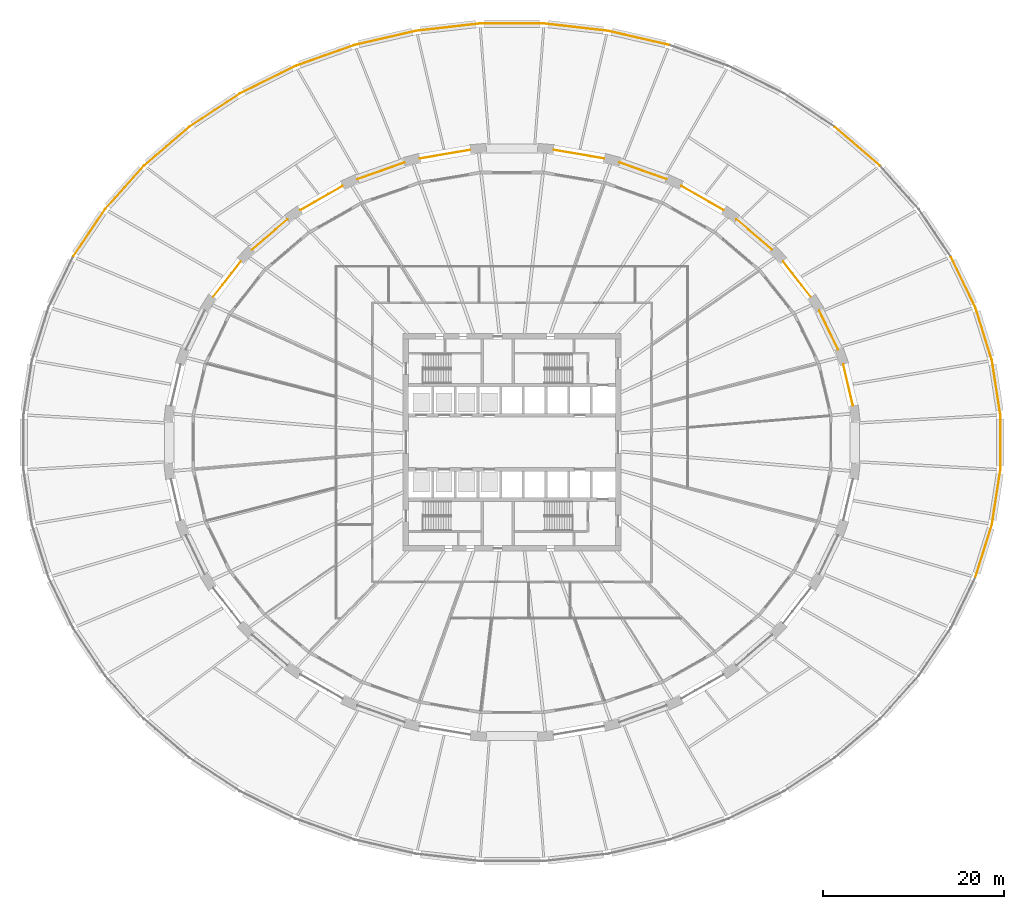
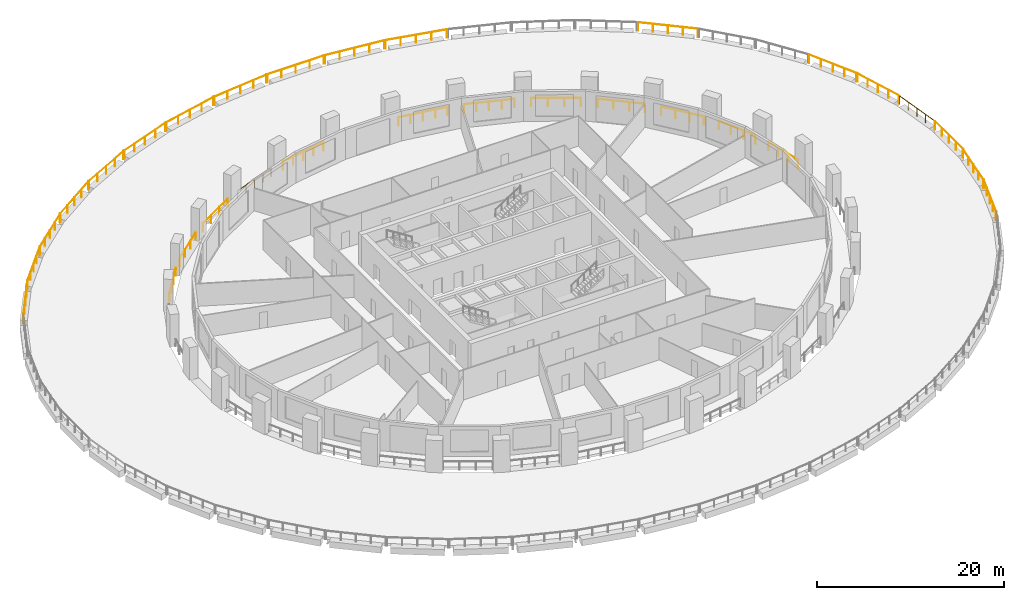
# One storey, part 14 of 16: 30 railings.
"""IFC4 building model written with IfcOpenShell, lengths in metres."""

import ifcopenshell
import ifcopenshell.guid

model = None  # the IFC model being written
_history = None  # IfcOwnerHistory: only IFC2X3 demands one
_inside = {}  # id of a spatial element -> (the spatial element, [elements in it])
_under = {}  # id of a project, library or spatial element -> (it, [spatial elements below it])
_declared = {}  # id of a project -> (the project, [libraries it declares])
_typed = {}  # id of a type object -> (the type object, [elements of that type])
_made_of = {}  # id of a material, layer set ... -> (it, [elements and type objects made of it])


def new_model(schema):
    """Start an empty IFC model of exactly this schema.

    Asked for "IFC4X3", IfcOpenShell would pick the latest addendum, in which some entities
    have other attributes; the version numbers below select the first issue.
    IFC2X3 requires an IfcOwnerHistory on every rooted entity: one is made here for all.
    """
    global model, _history
    if schema == "IFC4X3":
        model = ifcopenshell.file(schema_version=(4, 3, 0, 0))
    else:
        model = ifcopenshell.file(schema=schema)
    _inside.clear()
    _under.clear()
    _declared.clear()
    _typed.clear()
    _made_of.clear()
    _history = None
    if model.schema == "IFC2X3":
        org = make("IfcOrganization", Name="unknown")
        user = make(
            "IfcPersonAndOrganization",
            ThePerson=make("IfcPerson", FamilyName="unknown"),
            TheOrganization=org,
        )
        app = make(
            "IfcApplication",
            ApplicationDeveloper=org,
            Version="unknown",
            ApplicationFullName="unknown",
            ApplicationIdentifier="unknown",
        )
        _history = make(
            "IfcOwnerHistory",
            OwningUser=user,
            OwningApplication=app,
            ChangeAction="ADDED",
            CreationDate=0,
        )
    return model


def make(cls, **values):
    """One entity of the class cls with the attributes given. An attribute that is None is left unset."""
    return model.create_entity(
        cls, **{name: value for name, value in values.items() if value is not None}
    )


def rooted(cls, **values):
    """An entity with a GlobalId (a new one), such as an element, a storey or a relation."""
    return make(cls, GlobalId=ifcopenshell.guid.new(), OwnerHistory=_history, **values)


def si_unit(unit_type, name, prefix=None):
    """IfcSIUnit, for example si_unit("LENGTHUNIT", "METRE", prefix="MILLI")."""
    return make("IfcSIUnit", UnitType=unit_type, Prefix=prefix, Name=name)


def assignment(units):
    """IfcUnitAssignment: the units of a project."""
    return None if units is None else make("IfcUnitAssignment", Units=units)


def point(xyz):
    """IfcCartesianPoint."""
    return None if xyz is None else make("IfcCartesianPoint", Coordinates=xyz)


def direction(xyz):
    """IfcDirection."""
    return None if xyz is None else make("IfcDirection", DirectionRatios=xyz)


def frame(location, z_axis=None, x_axis=None):
    """IfcAxis2Placement3D, a coordinate frame: its origin and axes. An axis left out is left unset."""
    return make(
        "IfcAxis2Placement3D",
        Location=point(location),
        Axis=direction(z_axis),
        RefDirection=direction(x_axis),
    )


def frame_2d(location, x_axis=None):
    """IfcAxis2Placement2D, a coordinate frame in the plane: its origin and x axis."""
    return make(
        "IfcAxis2Placement2D", Location=point(location), RefDirection=direction(x_axis)
    )


def origin():
    """The frame at (0, 0, 0) with its axes left unset."""
    return frame((0.0, 0.0, 0.0))


def origin_2d():
    """The frame at (0, 0) in the plane with its x axis left unset."""
    return frame_2d((0.0, 0.0))


def place(relative_to, where):
    """IfcLocalPlacement: puts the frame where relative to a parent placement (None: the world)."""
    return make(
        "IfcLocalPlacement", PlacementRelTo=relative_to, RelativePlacement=where
    )


def context(
    kind, dimensions, precision=None, world=None, true_north=None, identifier=None
):
    """IfcGeometricRepresentationContext, for example the 3D "Model" context."""
    return make(
        "IfcGeometricRepresentationContext",
        ContextIdentifier=identifier,
        ContextType=kind,
        CoordinateSpaceDimension=dimensions,
        Precision=precision,
        WorldCoordinateSystem=world,
        TrueNorth=true_north,
    )


def subcontext(parent, identifier, kind, view, scale=None):
    """IfcGeometricRepresentationSubContext, for example "Body" below "Model"."""
    return make(
        "IfcGeometricRepresentationSubContext",
        ContextIdentifier=identifier,
        ContextType=kind,
        ParentContext=parent,
        TargetScale=scale,
        TargetView=view,
    )


def project(units=None, contexts=None):
    """IfcProject with its units and contexts."""
    return rooted(
        "IfcProject",
        Name="project",
        RepresentationContexts=contexts,
        UnitsInContext=assignment(units),
    )


def spatial(cls, under=None, at=None, **own):
    """A site, building, storey or space (cls), placed at a placement, below another one or the project."""
    s = rooted(cls, ObjectPlacement=at, **own)
    if under is not None:
        _under.setdefault(under.id(), (under, []))[1].append(s)
    return s


def profile(cls, at=None, kind="AREA", **sizes):
    """A parametric profile (cls). Its sizes go by their IFC names, for example OverallWidth=200.0."""
    return make(cls, ProfileType=kind, Position=at, **sizes)


def circle(**sizes):
    """IfcCircleProfileDef."""
    return profile("IfcCircleProfileDef", **sizes)


def extrude(swept, where, along, depth):
    """IfcExtrudedAreaSolid: the profile swept, set in the frame where, extruded along a direction by depth."""
    return make(
        "IfcExtrudedAreaSolid",
        SweptArea=swept,
        Position=where,
        ExtrudedDirection=direction(along),
        Depth=depth,
    )


def shape(context_of_items, identifier, shape_type, items):
    """IfcShapeRepresentation: the items that make up one representation, for example the "Body"."""
    return make(
        "IfcShapeRepresentation",
        ContextOfItems=context_of_items,
        RepresentationIdentifier=identifier,
        RepresentationType=shape_type,
        Items=items,
    )


def material(Name=None, Category=None):
    """IfcMaterial."""
    return make("IfcMaterial", Name=Name, Category=Category)


def made_of(thing, what):
    """Note that an element or type object is made of a material, layer set ...; save() writes the relation."""
    if what is not None:
        _made_of.setdefault(what.id(), (what, []))[1].append(thing)
    return thing


def type_object(cls, material=None, **own):
    """A type object (cls), such as IfcWallType, which elements share."""
    return made_of(rooted(cls, **own), material)


def element(
    cls,
    number,
    at=None,
    inside=None,
    cuts=None,
    type_object=None,
    material=None,
    context=None,
    identifier="Body",
    shape_type=None,
    held_by="IfcProductDefinitionShape",
    body=None,
    shapes=None,
    **own,
):
    """One element of the class cls, such as IfcWall. Its Tag is "e" and its number.

    at: its placement. inside: the storey or other place that contains it. cuts: it is an
    opening in that element (IfcRelVoidsElement). A single representation is given by context,
    identifier, shape_type and body (its items); several are given by shapes. held_by: the class
    of the entity that holds the representations. save() writes the other relations.
    """
    e = rooted(cls, Tag="e%d" % number, ObjectPlacement=at, **own)
    if body is not None:
        shapes = [shape(context, identifier, shape_type, body)]
    if shapes is not None:
        e.Representation = make(held_by, Representations=shapes)
    if inside is not None:
        _inside.setdefault(inside.id(), (inside, []))[1].append(e)
    if cuts is not None:
        rooted(
            "IfcRelVoidsElement", RelatingBuildingElement=cuts, RelatedOpeningElement=e
        )
    if type_object is not None:
        _typed.setdefault(type_object.id(), (type_object, []))[1].append(e)
    return made_of(e, material)


def aggregate(whole, parts):
    """IfcRelAggregates: a whole, such as a stair, and the parts it consists of."""
    return rooted("IfcRelAggregates", RelatingObject=whole, RelatedObjects=parts)


def save(model, path):
    """Write the relations noted so far, then the file.

    IfcRelAggregates (storeys below a building ...), IfcRelContainedInSpatialStructure (elements
    in a storey), IfcRelDefinesByType, IfcRelAssociatesMaterial and IfcRelDeclares: one each for
    every whole, place, type object, material and project.
    """
    for whole, parts in _under.values():
        aggregate(whole, parts)
    for where, things in _inside.values():
        rooted(
            "IfcRelContainedInSpatialStructure",
            RelatedElements=things,
            RelatingStructure=where,
        )
    for kind, things in _typed.values():
        rooted("IfcRelDefinesByType", RelatedObjects=things, RelatingType=kind)
    for what, things in _made_of.values():
        rooted("IfcRelAssociatesMaterial", RelatedObjects=things, RelatingMaterial=what)
    for by, libraries in _declared.values():
        rooted("IfcRelDeclares", RelatingContext=by, RelatedDefinitions=libraries)
    model.write(path)


model = new_model("IFC4")

# Units and contexts
model_context = context("Model", 3, precision=1e-05, world=origin(), true_north=direction((0.0, 1.0)))
body_context = subcontext(model_context, "Body", "Model", "MODEL_VIEW")
ifc_project = project(units=[si_unit("LENGTHUNIT", "METRE"), si_unit("AREAUNIT", "SQUARE_METRE"), si_unit("VOLUMEUNIT", "CUBIC_METRE"), si_unit("PLANEANGLEUNIT", "RADIAN"), si_unit("MASSUNIT", "GRAM", prefix="KILO")], contexts=[model_context])

# Site, building, storey
site_placement = place(None, origin())
site = spatial("IfcSite", under=ifc_project, at=site_placement, CompositionType="ELEMENT")
building_placement = place(site_placement, origin())
building = spatial("IfcBuilding", under=site, at=building_placement, Name="Halqa Exchange Tower", CompositionType="ELEMENT")
storey_placement = place(building_placement, frame((0.0, 0.0, 23.5)))
storey = spatial("IfcBuildingStorey", under=building, at=storey_placement, Name="L04", CompositionType="ELEMENT", Elevation=23.5)

# Railings
ifc_material = material(Name="Stainless steel", Category="steel")
railing_type = type_object("IfcRailingType", Name="Guard 1100 stainless steel", PredefinedType="GUARDRAIL", material=ifc_material)
railing_1_placement = place(storey_placement, frame((37.613525390625, 4.0693359375, 0.0)))
element("IfcRailing", 1, at=railing_1_placement, inside=storey, type_object=railing_type, Name="Loggia guard 1", PredefinedType="GUARDRAIL", context=body_context, shape_type="SweptSolid", body=[
    extrude(circle(Radius=0.02392578125, at=origin_2d()), frame((0.0, 0.0, 1.076171875), z_axis=(-0.22605731834, 0.974114001965, 0.0), x_axis=(-0.974114001965, -0.22605731834, 0.0)), (0.0, 0.0, 1.0), 4.62890625),
    extrude(circle(Radius=0.02099609375, at=origin_2d()), origin(), (0.0, 0.0, 1.0), 1.052001953125),
    extrude(circle(Radius=0.02099609375, at=origin_2d()), frame((-0.348876953125, 1.5029296875, 0.0)), (0.0, 0.0, 1.0), 1.052001953125),
    extrude(circle(Radius=0.02099609375, at=origin_2d()), frame((-0.697509765625, 3.006103515625, 0.0)), (0.0, 0.0, 1.0), 1.052001953125),
    extrude(circle(Radius=0.02099609375, at=origin_2d()), frame((-1.04638671875, 4.509033203125, 0.0)), (0.0, 0.0, 1.0), 1.052001953125),
])
railing_2_placement = place(storey_placement, frame((35.97216796875, 10.265380859375, 0.0)))
element("IfcRailing", 2, at=railing_2_placement, inside=storey, type_object=railing_type, Name="Loggia guard 2", PredefinedType="GUARDRAIL", context=body_context, shape_type="SweptSolid", body=[
    extrude(circle(Radius=0.02392578125, at=origin_2d()), frame((0.0, 0.0, 1.076171875), z_axis=(-0.435129787392, 0.900367740495, 0.0), x_axis=(-0.900367740495, -0.435129787392, 0.0)), (0.0, 0.0, 1.0), 4.751708984375),
    extrude(circle(Radius=0.02099609375, at=origin_2d()), origin(), (0.0, 0.0, 1.0), 1.052001953125),
    extrude(circle(Radius=0.02099609375, at=origin_2d()), frame((-0.689208984375, 1.426025390625, 0.0)), (0.0, 0.0, 1.0), 1.052001953125),
    extrude(circle(Radius=0.02099609375, at=origin_2d()), frame((-1.37841796875, 2.852294921875, 0.0)), (0.0, 0.0, 1.0), 1.052001953125),
    extrude(circle(Radius=0.02099609375, at=origin_2d()), frame((-2.067626953125, 4.2783203125, 0.0)), (0.0, 0.0, 1.0), 1.052001953125),
])
railing_3_placement = place(storey_placement, frame((32.959716796875, 16.06396484375, 0.0)))
element("IfcRailing", 3, at=railing_3_placement, inside=storey, type_object=railing_type, Name="Loggia guard 3", PredefinedType="GUARDRAIL", context=body_context, shape_type="SweptSolid", body=[
    extrude(circle(Radius=0.02392578125, at=origin_2d()), frame((0.0, 0.0, 1.076171875), z_axis=(-0.614810778124, 0.78867465225, 0.0), x_axis=(-0.78867465225, -0.614810778124, 0.0)), (0.0, 0.0, 1.0), 4.931640625),
    extrude(circle(Radius=0.02099609375, at=origin_2d()), origin(), (0.0, 0.0, 1.0), 1.052001953125),
    extrude(circle(Radius=0.02099609375, at=origin_2d()), frame((-1.0107421875, 1.29638671875, 0.0)), (0.0, 0.0, 1.0), 1.052001953125),
    extrude(circle(Radius=0.02099609375, at=origin_2d()), frame((-2.021240234375, 2.593017578125, 0.0)), (0.0, 0.0, 1.0), 1.052001953125),
    extrude(circle(Radius=0.02099609375, at=origin_2d()), frame((-3.031982421875, 3.889404296875, 0.0)), (0.0, 0.0, 1.0), 1.052001953125),
])
railing_4_placement = place(storey_placement, frame((28.691162109375, 21.248779296875, 0.0)))
element("IfcRailing", 4, at=railing_4_placement, inside=storey, type_object=railing_type, Name="Loggia guard 4", PredefinedType="GUARDRAIL", context=body_context, shape_type="SweptSolid", body=[
    extrude(circle(Radius=0.02392578125, at=origin_2d()), frame((0.0, 0.0, 1.076171875), z_axis=(-0.759266665229, 0.650779633265, 0.0), x_axis=(-0.650779633265, -0.759266665229, 0.0)), (0.0, 0.0, 1.0), 5.1376953125),
    extrude(circle(Radius=0.02099609375, at=origin_2d()), origin(), (0.0, 0.0, 1.0), 1.052001953125),
    extrude(circle(Radius=0.02099609375, at=origin_2d()), frame((-1.30029296875, 1.114501953125, 0.0)), (0.0, 0.0, 1.0), 1.052001953125),
    extrude(circle(Radius=0.02099609375, at=origin_2d()), frame((-2.6005859375, 2.22900390625, 0.0)), (0.0, 0.0, 1.0), 1.052001953125),
    extrude(circle(Radius=0.02099609375, at=origin_2d()), frame((-3.90087890625, 3.343505859375, 0.0)), (0.0, 0.0, 1.0), 1.052001953125),
])
railing_5_placement = place(storey_placement, frame((23.325927734375, 25.625244140625, 0.0)))
element("IfcRailing", 5, at=railing_5_placement, inside=storey, type_object=railing_type, Name="Loggia guard 5", PredefinedType="GUARDRAIL", context=body_context, shape_type="SweptSolid", body=[
    extrude(circle(Radius=0.02392578125, at=origin_2d()), frame((0.0, 0.0, 1.076171875), z_axis=(-0.867752964109, 0.496995767869, 0.0), x_axis=(-0.496995767869, -0.867752964109, 0.0)), (0.0, 0.0, 1.0), 5.337646484375),
    extrude(circle(Radius=0.02099609375, at=origin_2d()), origin(), (0.0, 0.0, 1.0), 1.052001953125),
    extrude(circle(Radius=0.02099609375, at=origin_2d()), frame((-1.5439453125, 0.88427734375, 0.0)), (0.0, 0.0, 1.0), 1.052001953125),
    extrude(circle(Radius=0.02099609375, at=origin_2d()), frame((-3.087890625, 1.7685546875, 0.0)), (0.0, 0.0, 1.0), 1.052001953125),
    extrude(circle(Radius=0.02099609375, at=origin_2d()), frame((-4.6318359375, 2.65283203125, 0.0)), (0.0, 0.0, 1.0), 1.052001953125),
])
railing_6_placement = place(storey_placement, frame((17.06494140625, 29.026611328125, 0.0)))
element("IfcRailing", 6, at=railing_6_placement, inside=storey, type_object=railing_type, Name="Loggia guard 6", PredefinedType="GUARDRAIL", context=body_context, shape_type="SweptSolid", body=[
    extrude(circle(Radius=0.02392578125, at=origin_2d()), frame((0.0, 0.0, 1.076171875), z_axis=(-0.942364586874, 0.334587784305, 0.0), x_axis=(-0.334587784305, -0.942364586874, 0.0)), (0.0, 0.0, 1.0), 5.503173828125),
    extrude(circle(Radius=0.02099609375, at=origin_2d()), origin(), (0.0, 0.0, 1.0), 1.052001953125),
    extrude(circle(Radius=0.02099609375, at=origin_2d()), frame((-1.29638671875, 0.46044921875, 0.0)), (0.0, 0.0, 1.0), 1.052001953125),
    extrude(circle(Radius=0.02099609375, at=origin_2d()), frame((-2.593017578125, 0.920654296875, 0.0)), (0.0, 0.0, 1.0), 1.052001953125),
    extrude(circle(Radius=0.02099609375, at=origin_2d()), frame((-3.8896484375, 1.380859375, 0.0)), (0.0, 0.0, 1.0), 1.052001953125),
    extrude(circle(Radius=0.02099609375, at=origin_2d()), frame((-5.18603515625, 1.84130859375, 0.0)), (0.0, 0.0, 1.0), 1.052001953125),
])
railing_7_placement = place(storey_placement, frame((10.1435546875, 31.3203125, 0.0)))
element("IfcRailing", 7, at=railing_7_placement, inside=storey, type_object=railing_type, Name="Loggia guard 7", PredefinedType="GUARDRAIL", context=body_context, shape_type="SweptSolid", body=[
    extrude(circle(Radius=0.02392578125, at=origin_2d()), frame((0.0, 0.0, 1.076171875), z_axis=(-0.985782862514, 0.16802424817, 0.0), x_axis=(-0.16802424817, -0.985782862514, 0.0)), (0.0, 0.0, 1.0), 5.611572265625),
    extrude(circle(Radius=0.02099609375, at=origin_2d()), origin(), (0.0, 0.0, 1.0), 1.052001953125),
    extrude(circle(Radius=0.02099609375, at=origin_2d()), frame((-1.3828125, 0.23583984375, 0.0)), (0.0, 0.0, 1.0), 1.052001953125),
    extrude(circle(Radius=0.02099609375, at=origin_2d()), frame((-2.765869140625, 0.471435546875, 0.0)), (0.0, 0.0, 1.0), 1.052001953125),
    extrude(circle(Radius=0.02099609375, at=origin_2d()), frame((-4.14892578125, 0.70703125, 0.0)), (0.0, 0.0, 1.0), 1.052001953125),
    extrude(circle(Radius=0.02099609375, at=origin_2d()), frame((-5.53173828125, 0.94287109375, 0.0)), (0.0, 0.0, 1.0), 1.052001953125),
])
railing_8_placement = place(storey_placement, frame((-4.61181640625, 32.26318359375, 0.0)))
element("IfcRailing", 8, at=railing_8_placement, inside=storey, type_object=railing_type, Name="Loggia guard 9", PredefinedType="GUARDRAIL", context=body_context, shape_type="SweptSolid", body=[
    extrude(circle(Radius=0.02392578125, at=origin_2d()), frame((0.0, 0.0, 1.076171875), z_axis=(-0.985782862514, -0.16802424817, 0.0), x_axis=(0.16802424817, -0.985782862514, 0.0)), (0.0, 0.0, 1.0), 5.611572265625),
    extrude(circle(Radius=0.02099609375, at=origin_2d()), origin(), (0.0, 0.0, 1.0), 1.052001953125),
    extrude(circle(Radius=0.02099609375, at=origin_2d()), frame((-1.3828125, -0.23583984375, 0.0)), (0.0, 0.0, 1.0), 1.052001953125),
    extrude(circle(Radius=0.02099609375, at=origin_2d()), frame((-2.765869140625, -0.471435546875, 0.0)), (0.0, 0.0, 1.0), 1.052001953125),
    extrude(circle(Radius=0.02099609375, at=origin_2d()), frame((-4.14892578125, -0.70703125, 0.0)), (0.0, 0.0, 1.0), 1.052001953125),
    extrude(circle(Radius=0.02099609375, at=origin_2d()), frame((-5.53173828125, -0.94287109375, 0.0)), (0.0, 0.0, 1.0), 1.052001953125),
])
railing_9_placement = place(storey_placement, frame((-11.87890625, 30.867919921875, 0.0)))
element("IfcRailing", 9, at=railing_9_placement, inside=storey, type_object=railing_type, Name="Loggia guard 10", PredefinedType="GUARDRAIL", context=body_context, shape_type="SweptSolid", body=[
    extrude(circle(Radius=0.02392578125, at=origin_2d()), frame((0.0, 0.0, 1.076171875), z_axis=(-0.942364586874, -0.334587784305, 0.0), x_axis=(0.334587784305, -0.942364586874, 0.0)), (0.0, 0.0, 1.0), 5.503173828125),
    extrude(circle(Radius=0.02099609375, at=origin_2d()), origin(), (0.0, 0.0, 1.0), 1.052001953125),
    extrude(circle(Radius=0.02099609375, at=origin_2d()), frame((-1.29638671875, -0.46044921875, 0.0)), (0.0, 0.0, 1.0), 1.052001953125),
    extrude(circle(Radius=0.02099609375, at=origin_2d()), frame((-2.593017578125, -0.920654296875, 0.0)), (0.0, 0.0, 1.0), 1.052001953125),
    extrude(circle(Radius=0.02099609375, at=origin_2d()), frame((-3.8896484375, -1.380859375, 0.0)), (0.0, 0.0, 1.0), 1.052001953125),
    extrude(circle(Radius=0.02099609375, at=origin_2d()), frame((-5.18603515625, -1.84130859375, 0.0)), (0.0, 0.0, 1.0), 1.052001953125),
])
railing_10_placement = place(storey_placement, frame((-18.694091796875, 28.278076171875, 0.0)))
element("IfcRailing", 10, at=railing_10_placement, inside=storey, type_object=railing_type, Name="Loggia guard 11", PredefinedType="GUARDRAIL", context=body_context, shape_type="SweptSolid", body=[
    extrude(circle(Radius=0.02392578125, at=origin_2d()), frame((0.0, 0.0, 1.076171875), z_axis=(-0.867752964109, -0.496995767869, 0.0), x_axis=(0.496995767869, -0.867752964109, 0.0)), (0.0, 0.0, 1.0), 5.337646484375),
    extrude(circle(Radius=0.02099609375, at=origin_2d()), origin(), (0.0, 0.0, 1.0), 1.052001953125),
    extrude(circle(Radius=0.02099609375, at=origin_2d()), frame((-1.5439453125, -0.88427734375, 0.0)), (0.0, 0.0, 1.0), 1.052001953125),
    extrude(circle(Radius=0.02099609375, at=origin_2d()), frame((-3.087890625, -1.7685546875, 0.0)), (0.0, 0.0, 1.0), 1.052001953125),
    extrude(circle(Radius=0.02099609375, at=origin_2d()), frame((-4.6318359375, -2.65283203125, 0.0)), (0.0, 0.0, 1.0), 1.052001953125),
])
railing_11_placement = place(storey_placement, frame((-24.790283203125, 24.59228515625, 0.0)))
element("IfcRailing", 11, at=railing_11_placement, inside=storey, type_object=railing_type, Name="Loggia guard 12", PredefinedType="GUARDRAIL", context=body_context, shape_type="SweptSolid", body=[
    extrude(circle(Radius=0.02392578125, at=origin_2d()), frame((0.0, 0.0, 1.076171875), z_axis=(-0.759266665229, -0.650779633265, 0.0), x_axis=(0.650779633265, -0.759266665229, 0.0)), (0.0, 0.0, 1.0), 5.1376953125),
    extrude(circle(Radius=0.02099609375, at=origin_2d()), origin(), (0.0, 0.0, 1.0), 1.052001953125),
    extrude(circle(Radius=0.02099609375, at=origin_2d()), frame((-1.30029296875, -1.114501953125, 0.0)), (0.0, 0.0, 1.0), 1.052001953125),
    extrude(circle(Radius=0.02099609375, at=origin_2d()), frame((-2.6005859375, -2.22900390625, 0.0)), (0.0, 0.0, 1.0), 1.052001953125),
    extrude(circle(Radius=0.02099609375, at=origin_2d()), frame((-3.90087890625, -3.343505859375, 0.0)), (0.0, 0.0, 1.0), 1.052001953125),
])
railing_12_placement = place(storey_placement, frame((-29.927734375, 19.953369140625, 0.0)))
element("IfcRailing", 12, at=railing_12_placement, inside=storey, type_object=railing_type, Name="Loggia guard 13", PredefinedType="GUARDRAIL", context=body_context, shape_type="SweptSolid", body=[
    extrude(circle(Radius=0.02392578125, at=origin_2d()), frame((0.0, 0.0, 1.076171875), z_axis=(-0.614810778124, -0.78867465225, 0.0), x_axis=(0.78867465225, -0.614810778124, 0.0)), (0.0, 0.0, 1.0), 4.931640625),
    extrude(circle(Radius=0.02099609375, at=origin_2d()), origin(), (0.0, 0.0, 1.0), 1.052001953125),
    extrude(circle(Radius=0.02099609375, at=origin_2d()), frame((-1.0107421875, -1.29638671875, 0.0)), (0.0, 0.0, 1.0), 1.052001953125),
    extrude(circle(Radius=0.02099609375, at=origin_2d()), frame((-2.021240234375, -2.593017578125, 0.0)), (0.0, 0.0, 1.0), 1.052001953125),
    extrude(circle(Radius=0.02099609375, at=origin_2d()), frame((-3.031982421875, -3.889404296875, 0.0)), (0.0, 0.0, 1.0), 1.052001953125),
])
railing_13_placement = place(storey_placement, frame((53.875244140625, 3.08740234375, 0.0)))
element("IfcRailing", 13, at=railing_13_placement, inside=storey, type_object=railing_type, Name="Terrace guard 1", PredefinedType="GUARDRAIL", context=body_context, shape_type="SweptSolid", body=[
    extrude(circle(Radius=0.02392578125, at=origin_2d()), frame((0.0, 0.0, 1.076171875), z_axis=(-0.151773748325, 0.988415261578, 0.0), x_axis=(-0.988415261578, -0.151773748325, 0.0)), (0.0, 0.0, 1.0), 5.955078125),
    extrude(circle(Radius=0.02099609375, at=origin_2d()), origin(), (0.0, 0.0, 1.0), 1.052001953125),
    extrude(circle(Radius=0.02099609375, at=origin_2d()), frame((-0.22607421875, 1.471435546875, 0.0)), (0.0, 0.0, 1.0), 1.052001953125),
    extrude(circle(Radius=0.02099609375, at=origin_2d()), frame((-0.451904296875, 2.94287109375, 0.0)), (0.0, 0.0, 1.0), 1.052001953125),
    extrude(circle(Radius=0.02099609375, at=origin_2d()), frame((-0.677734375, 4.41455078125, 0.0)), (0.0, 0.0, 1.0), 1.052001953125),
    extrude(circle(Radius=0.02099609375, at=origin_2d()), frame((-0.90380859375, 5.885986328125, 0.0)), (0.0, 0.0, 1.0), 1.052001953125),
])
railing_14_placement = place(storey_placement, frame((52.944580078125, 9.090087890625, 0.0)))
element("IfcRailing", 14, at=railing_14_placement, inside=storey, type_object=railing_type, Name="Terrace guard 2", PredefinedType="GUARDRAIL", context=body_context, shape_type="SweptSolid", body=[
    extrude(circle(Radius=0.02392578125, at=origin_2d()), frame((0.0, 0.0, 1.076171875), z_axis=(-0.298302754181, 0.954471302265, 0.0), x_axis=(-0.954471302265, -0.298302754181, 0.0)), (0.0, 0.0, 1.0), 6.009033203125),
    extrude(circle(Radius=0.02099609375, at=origin_2d()), origin(), (0.0, 0.0, 1.0), 1.052001953125),
    extrude(circle(Radius=0.02099609375, at=origin_2d()), frame((-0.4482421875, 1.433837890625, 0.0)), (0.0, 0.0, 1.0), 1.052001953125),
    extrude(circle(Radius=0.02099609375, at=origin_2d()), frame((-0.896240234375, 2.86767578125, 0.0)), (0.0, 0.0, 1.0), 1.052001953125),
    extrude(circle(Radius=0.02099609375, at=origin_2d()), frame((-1.34423828125, 4.301513671875, 0.0)), (0.0, 0.0, 1.0), 1.052001953125),
    extrude(circle(Radius=0.02099609375, at=origin_2d()), frame((-1.79248046875, 5.7353515625, 0.0)), (0.0, 0.0, 1.0), 1.052001953125),
])
railing_15_placement = place(storey_placement, frame((51.108154296875, 14.9365234375, 0.0)))
element("IfcRailing", 15, at=railing_15_placement, inside=storey, type_object=railing_type, Name="Terrace guard 3", PredefinedType="GUARDRAIL", context=body_context, shape_type="SweptSolid", body=[
    extrude(circle(Radius=0.02392578125, at=origin_2d()), frame((0.0, 0.0, 1.076171875), z_axis=(-0.43497759406, 0.900441276634, 0.0), x_axis=(-0.900441276634, -0.43497759406, 0.0)), (0.0, 0.0, 1.0), 6.09423828125),
    extrude(circle(Radius=0.02099609375, at=origin_2d()), origin(), (0.0, 0.0, 1.0), 1.052001953125),
    extrude(circle(Radius=0.02099609375, at=origin_2d()), frame((-0.66259765625, 1.371826171875, 0.0)), (0.0, 0.0, 1.0), 1.052001953125),
    extrude(circle(Radius=0.02099609375, at=origin_2d()), frame((-1.325439453125, 2.74365234375, 0.0)), (0.0, 0.0, 1.0), 1.052001953125),
    extrude(circle(Radius=0.02099609375, at=origin_2d()), frame((-1.98828125, 4.11572265625, 0.0)), (0.0, 0.0, 1.0), 1.052001953125),
    extrude(circle(Radius=0.02099609375, at=origin_2d()), frame((-2.65087890625, 5.487548828125, 0.0)), (0.0, 0.0, 1.0), 1.052001953125),
])
railing_16_placement = place(storey_placement, frame((40.5537109375, 30.566650390625, 0.0)))
element("IfcRailing", 16, at=railing_16_placement, inside=storey, type_object=railing_type, Name="Terrace guard 6", PredefinedType="GUARDRAIL", context=body_context, shape_type="SweptSolid", body=[
    extrude(circle(Radius=0.02392578125, at=origin_2d()), frame((0.0, 0.0, 1.076171875), z_axis=(-0.759139199073, 0.650928318966, 0.0), x_axis=(-0.650928318966, -0.759139199073, 0.0)), (0.0, 0.0, 1.0), 6.45947265625),
    extrude(circle(Radius=0.02099609375, at=origin_2d()), origin(), (0.0, 0.0, 1.0), 1.052001953125),
    extrude(circle(Radius=0.02099609375, at=origin_2d()), frame((-1.225830078125, 1.05126953125, 0.0)), (0.0, 0.0, 1.0), 1.052001953125),
    extrude(circle(Radius=0.02099609375, at=origin_2d()), frame((-2.45166015625, 2.102294921875, 0.0)), (0.0, 0.0, 1.0), 1.052001953125),
    extrude(circle(Radius=0.02099609375, at=origin_2d()), frame((-3.677734375, 3.1533203125, 0.0)), (0.0, 0.0, 1.0), 1.052001953125),
    extrude(circle(Radius=0.02099609375, at=origin_2d()), frame((-4.903564453125, 4.20458984375, 0.0)), (0.0, 0.0, 1.0), 1.052001953125),
])
railing_17_placement = place(storey_placement, frame((17.29931640625, 43.8564453125, 0.0)))
element("IfcRailing", 17, at=railing_17_placement, inside=storey, type_object=railing_type, Name="Terrace guard 10", PredefinedType="GUARDRAIL", context=body_context, shape_type="SweptSolid", body=[
    extrude(circle(Radius=0.02392578125, at=origin_2d()), frame((0.0, 0.0, 1.076171875), z_axis=(-0.974614368712, 0.223890223772, 0.0), x_axis=(-0.223890223772, -0.974614368712, 0.0)), (0.0, 0.0, 1.0), 6.880615234375),
    extrude(circle(Radius=0.02099609375, at=origin_2d()), origin(), (0.0, 0.0, 1.0), 1.052001953125),
    extrude(circle(Radius=0.02099609375, at=origin_2d()), frame((-1.676513671875, 0.38525390625, 0.0)), (0.0, 0.0, 1.0), 1.052001953125),
    extrude(circle(Radius=0.02099609375, at=origin_2d()), frame((-3.35302734375, 0.770263671875, 0.0)), (0.0, 0.0, 1.0), 1.052001953125),
    extrude(circle(Radius=0.02099609375, at=origin_2d()), frame((-5.029541015625, 1.1552734375, 0.0)), (0.0, 0.0, 1.0), 1.052001953125),
    extrude(circle(Radius=0.02099609375, at=origin_2d()), frame((-6.7060546875, 1.54052734375, 0.0)), (0.0, 0.0, 1.0), 1.052001953125),
])
railing_18_placement = place(storey_placement, frame((10.475341796875, 45.417236328125, 0.0)))
element("IfcRailing", 18, at=railing_18_placement, inside=storey, type_object=railing_type, Name="Terrace guard 11", PredefinedType="GUARDRAIL", context=body_context, shape_type="SweptSolid", body=[
    extrude(circle(Radius=0.02392578125, at=origin_2d()), frame((0.0, 0.0, 1.076171875), z_axis=(-0.993692742672, 0.112137117679, 0.0), x_axis=(-0.112137117679, -0.993692742672, 0.0)), (0.0, 0.0, 1.0), 6.927734375),
    extrude(circle(Radius=0.02099609375, at=origin_2d()), origin(), (0.0, 0.0, 1.0), 1.052001953125),
    extrude(circle(Radius=0.02099609375, at=origin_2d()), frame((-1.720947265625, 0.1943359375, 0.0)), (0.0, 0.0, 1.0), 1.052001953125),
    extrude(circle(Radius=0.02099609375, at=origin_2d()), frame((-3.44189453125, 0.388427734375, 0.0)), (0.0, 0.0, 1.0), 1.052001953125),
    extrude(circle(Radius=0.02099609375, at=origin_2d()), frame((-5.1630859375, 0.58251953125, 0.0)), (0.0, 0.0, 1.0), 1.052001953125),
    extrude(circle(Radius=0.02099609375, at=origin_2d()), frame((-6.884033203125, 0.77685546875, 0.0)), (0.0, 0.0, 1.0), 1.052001953125),
])
railing_19_placement = place(storey_placement, frame((3.4716796875, 46.200927734375, 0.0)))
element("IfcRailing", 19, at=railing_19_placement, inside=storey, type_object=railing_type, Name="Terrace guard 12", PredefinedType="GUARDRAIL", context=body_context, shape_type="SweptSolid", body=[
    extrude(circle(Radius=0.02392578125, at=origin_2d()), frame((0.0, 0.0, 1.076171875), z_axis=(-1.0, 0.0, 0.0), x_axis=(0.0, -1.0, 0.0)), (0.0, 0.0, 1.0), 6.943359375),
    extrude(circle(Radius=0.02099609375, at=origin_2d()), origin(), (0.0, 0.0, 1.0), 1.052001953125),
    extrude(circle(Radius=0.02099609375, at=origin_2d()), frame((-1.73583984375, 0.0, 0.0)), (0.0, 0.0, 1.0), 1.052001953125),
    extrude(circle(Radius=0.02099609375, at=origin_2d()), frame((-3.4716796875, 0.0, 0.0)), (0.0, 0.0, 1.0), 1.052001953125),
    extrude(circle(Radius=0.02099609375, at=origin_2d()), frame((-5.20751953125, 0.0, 0.0)), (0.0, 0.0, 1.0), 1.052001953125),
    extrude(circle(Radius=0.02099609375, at=origin_2d()), frame((-6.943359375, 0.0, 0.0)), (0.0, 0.0, 1.0), 1.052001953125),
])
railing_20_placement = place(storey_placement, frame((-3.59130859375, 46.194091796875, 0.0)))
element("IfcRailing", 20, at=railing_20_placement, inside=storey, type_object=railing_type, Name="Terrace guard 13", PredefinedType="GUARDRAIL", context=body_context, shape_type="SweptSolid", body=[
    extrude(circle(Radius=0.02392578125, at=origin_2d()), frame((0.0, 0.0, 1.076171875), z_axis=(-0.993692742672, -0.112137117679, 0.0), x_axis=(0.112137117679, -0.993692742672, 0.0)), (0.0, 0.0, 1.0), 6.927734375),
    extrude(circle(Radius=0.02099609375, at=origin_2d()), origin(), (0.0, 0.0, 1.0), 1.052001953125),
    extrude(circle(Radius=0.02099609375, at=origin_2d()), frame((-1.720947265625, -0.1943359375, 0.0)), (0.0, 0.0, 1.0), 1.052001953125),
    extrude(circle(Radius=0.02099609375, at=origin_2d()), frame((-3.44189453125, -0.388427734375, 0.0)), (0.0, 0.0, 1.0), 1.052001953125),
    extrude(circle(Radius=0.02099609375, at=origin_2d()), frame((-5.1630859375, -0.58251953125, 0.0)), (0.0, 0.0, 1.0), 1.052001953125),
    extrude(circle(Radius=0.02099609375, at=origin_2d()), frame((-6.884033203125, -0.77685546875, 0.0)), (0.0, 0.0, 1.0), 1.052001953125),
])
railing_21_placement = place(storey_placement, frame((-10.59326171875, 45.39697265625, 0.0)))
element("IfcRailing", 21, at=railing_21_placement, inside=storey, type_object=railing_type, Name="Terrace guard 14", PredefinedType="GUARDRAIL", context=body_context, shape_type="SweptSolid", body=[
    extrude(circle(Radius=0.02392578125, at=origin_2d()), frame((0.0, 0.0, 1.076171875), z_axis=(-0.974614368712, -0.223890223772, 0.0), x_axis=(0.223890223772, -0.974614368712, 0.0)), (0.0, 0.0, 1.0), 6.880615234375),
    extrude(circle(Radius=0.02099609375, at=origin_2d()), origin(), (0.0, 0.0, 1.0), 1.052001953125),
    extrude(circle(Radius=0.02099609375, at=origin_2d()), frame((-1.676513671875, -0.38525390625, 0.0)), (0.0, 0.0, 1.0), 1.052001953125),
    extrude(circle(Radius=0.02099609375, at=origin_2d()), frame((-3.35302734375, -0.770263671875, 0.0)), (0.0, 0.0, 1.0), 1.052001953125),
    extrude(circle(Radius=0.02099609375, at=origin_2d()), frame((-5.029541015625, -1.1552734375, 0.0)), (0.0, 0.0, 1.0), 1.052001953125),
    extrude(circle(Radius=0.02099609375, at=origin_2d()), frame((-6.7060546875, -1.54052734375, 0.0)), (0.0, 0.0, 1.0), 1.052001953125),
])
railing_22_placement = place(storey_placement, frame((-17.414306640625, 43.82275390625, 0.0)))
element("IfcRailing", 22, at=railing_22_placement, inside=storey, type_object=railing_type, Name="Terrace guard 15", PredefinedType="GUARDRAIL", context=body_context, shape_type="SweptSolid", body=[
    extrude(circle(Radius=0.02392578125, at=origin_2d()), frame((0.0, 0.0, 1.076171875), z_axis=(-0.942332150503, -0.334679127119, 0.0), x_axis=(0.334679127119, -0.942332150503, 0.0)), (0.0, 0.0, 1.0), 6.80517578125),
    extrude(circle(Radius=0.02099609375, at=origin_2d()), origin(), (0.0, 0.0, 1.0), 1.052001953125),
    extrude(circle(Radius=0.02099609375, at=origin_2d()), frame((-1.603271484375, -0.5693359375, 0.0)), (0.0, 0.0, 1.0), 1.052001953125),
    extrude(circle(Radius=0.02099609375, at=origin_2d()), frame((-3.20654296875, -1.138671875, 0.0)), (0.0, 0.0, 1.0), 1.052001953125),
    extrude(circle(Radius=0.02099609375, at=origin_2d()), frame((-4.8095703125, -1.708251953125, 0.0)), (0.0, 0.0, 1.0), 1.052001953125),
    extrude(circle(Radius=0.02099609375, at=origin_2d()), frame((-6.412841796875, -2.277587890625, 0.0)), (0.0, 0.0, 1.0), 1.052001953125),
])
railing_23_placement = place(storey_placement, frame((-23.937255859375, 41.49853515625, 0.0)))
element("IfcRailing", 23, at=railing_23_placement, inside=storey, type_object=railing_type, Name="Terrace guard 16", PredefinedType="GUARDRAIL", context=body_context, shape_type="SweptSolid", body=[
    extrude(circle(Radius=0.02392578125, at=origin_2d()), frame((0.0, 0.0, 1.076171875), z_axis=(-0.896211273818, -0.443627493154, 0.0), x_axis=(0.443627493154, -0.896211273818, 0.0)), (0.0, 0.0, 1.0), 6.705810546875),
    extrude(circle(Radius=0.02099609375, at=origin_2d()), origin(), (0.0, 0.0, 1.0), 1.052001953125),
    extrude(circle(Radius=0.02099609375, at=origin_2d()), frame((-1.50244140625, -0.74365234375, 0.0)), (0.0, 0.0, 1.0), 1.052001953125),
    extrude(circle(Radius=0.02099609375, at=origin_2d()), frame((-3.0048828125, -1.4873046875, 0.0)), (0.0, 0.0, 1.0), 1.052001953125),
    extrude(circle(Radius=0.02099609375, at=origin_2d()), frame((-4.50732421875, -2.231201171875, 0.0)), (0.0, 0.0, 1.0), 1.052001953125),
    extrude(circle(Radius=0.02099609375, at=origin_2d()), frame((-6.009765625, -2.974853515625, 0.0)), (0.0, 0.0, 1.0), 1.052001953125),
])
railing_24_placement = place(storey_placement, frame((-30.051025390625, 38.464111328125, 0.0)))
element("IfcRailing", 24, at=railing_24_placement, inside=storey, type_object=railing_type, Name="Terrace guard 17", PredefinedType="GUARDRAIL", context=body_context, shape_type="SweptSolid", body=[
    extrude(circle(Radius=0.02392578125, at=origin_2d()), frame((0.0, 0.0, 1.076171875), z_axis=(-0.835415738884, -0.549618543379, 0.0), x_axis=(0.549618543379, -0.835415738884, 0.0)), (0.0, 0.0, 1.0), 6.587890625),
    extrude(circle(Radius=0.02099609375, at=origin_2d()), origin(), (0.0, 0.0, 1.0), 1.052001953125),
    extrude(circle(Radius=0.02099609375, at=origin_2d()), frame((-1.3759765625, -0.9052734375, 0.0)), (0.0, 0.0, 1.0), 1.052001953125),
    extrude(circle(Radius=0.02099609375, at=origin_2d()), frame((-2.751953125, -1.810546875, 0.0)), (0.0, 0.0, 1.0), 1.052001953125),
    extrude(circle(Radius=0.02099609375, at=origin_2d()), frame((-4.127685546875, -2.715576171875, 0.0)), (0.0, 0.0, 1.0), 1.052001953125),
    extrude(circle(Radius=0.02099609375, at=origin_2d()), frame((-5.503662109375, -3.620849609375, 0.0)), (0.0, 0.0, 1.0), 1.052001953125),
])
railing_25_placement = place(storey_placement, frame((-35.650146484375, 34.771240234375, 0.0)))
element("IfcRailing", 25, at=railing_25_placement, inside=storey, type_object=railing_type, Name="Terrace guard 18", PredefinedType="GUARDRAIL", context=body_context, shape_type="SweptSolid", body=[
    extrude(circle(Radius=0.02392578125, at=origin_2d()), frame((0.0, 0.0, 1.076171875), z_axis=(-0.759139199073, -0.650928318966, 0.0), x_axis=(0.650928318966, -0.759139199073, 0.0)), (0.0, 0.0, 1.0), 6.45947265625),
    extrude(circle(Radius=0.02099609375, at=origin_2d()), origin(), (0.0, 0.0, 1.0), 1.052001953125),
    extrude(circle(Radius=0.02099609375, at=origin_2d()), frame((-1.225830078125, -1.05126953125, 0.0)), (0.0, 0.0, 1.0), 1.052001953125),
    extrude(circle(Radius=0.02099609375, at=origin_2d()), frame((-2.45166015625, -2.102294921875, 0.0)), (0.0, 0.0, 1.0), 1.052001953125),
    extrude(circle(Radius=0.02099609375, at=origin_2d()), frame((-3.677734375, -3.1533203125, 0.0)), (0.0, 0.0, 1.0), 1.052001953125),
    extrude(circle(Radius=0.02099609375, at=origin_2d()), frame((-4.903564453125, -4.20458984375, 0.0)), (0.0, 0.0, 1.0), 1.052001953125),
])
railing_26_placement = place(storey_placement, frame((-40.639404296875, 30.48291015625, 0.0)))
element("IfcRailing", 26, at=railing_26_placement, inside=storey, type_object=railing_type, Name="Terrace guard 19", PredefinedType="GUARDRAIL", context=body_context, shape_type="SweptSolid", body=[
    extrude(circle(Radius=0.02392578125, at=origin_2d()), frame((0.0, 0.0, 1.076171875), z_axis=(-0.666881693057, -0.745163611206, 0.0), x_axis=(0.745163611206, -0.666881693057, 0.0)), (0.0, 0.0, 1.0), 6.327880859375),
    extrude(circle(Radius=0.02099609375, at=origin_2d()), origin(), (0.0, 0.0, 1.0), 1.052001953125),
    extrude(circle(Radius=0.02099609375, at=origin_2d()), frame((-1.054931640625, -1.1787109375, 0.0)), (0.0, 0.0, 1.0), 1.052001953125),
    extrude(circle(Radius=0.02099609375, at=origin_2d()), frame((-2.10986328125, -2.357666015625, 0.0)), (0.0, 0.0, 1.0), 1.052001953125),
    extrude(circle(Radius=0.02099609375, at=origin_2d()), frame((-3.1650390625, -3.53662109375, 0.0)), (0.0, 0.0, 1.0), 1.052001953125),
    extrude(circle(Radius=0.02099609375, at=origin_2d()), frame((-4.219970703125, -4.71533203125, 0.0)), (0.0, 0.0, 1.0), 1.052001953125),
])
railing_27_placement = place(storey_placement, frame((-44.932861328125, 25.673095703125, 0.0)))
element("IfcRailing", 27, at=railing_27_placement, inside=storey, type_object=railing_type, Name="Terrace guard 20", PredefinedType="GUARDRAIL", context=body_context, shape_type="SweptSolid", body=[
    extrude(circle(Radius=0.02392578125, at=origin_2d()), frame((0.0, 0.0, 1.076171875), z_axis=(-0.558563355694, -0.82946186029, 0.0), x_axis=(0.82946186029, -0.558563355694, 0.0)), (0.0, 0.0, 1.0), 6.203125),
    extrude(circle(Radius=0.02099609375, at=origin_2d()), origin(), (0.0, 0.0, 1.0), 1.052001953125),
    extrude(circle(Radius=0.02099609375, at=origin_2d()), frame((-0.8662109375, -1.286376953125, 0.0)), (0.0, 0.0, 1.0), 1.052001953125),
    extrude(circle(Radius=0.02099609375, at=origin_2d()), frame((-1.732421875, -2.57275390625, 0.0)), (0.0, 0.0, 1.0), 1.052001953125),
    extrude(circle(Radius=0.02099609375, at=origin_2d()), frame((-2.5986328125, -3.85888671875, 0.0)), (0.0, 0.0, 1.0), 1.052001953125),
    extrude(circle(Radius=0.02099609375, at=origin_2d()), frame((-3.46484375, -5.145263671875, 0.0)), (0.0, 0.0, 1.0), 1.052001953125),
])
railing_28_placement = place(storey_placement, frame((51.152099609375, -14.825439453125, 0.0)))
element("IfcRailing", 28, at=railing_28_placement, inside=storey, type_object=railing_type, Name="Terrace guard 46", PredefinedType="GUARDRAIL", context=body_context, shape_type="SweptSolid", body=[
    extrude(circle(Radius=0.02392578125, at=origin_2d()), frame((0.0, 0.0, 1.076171875), z_axis=(0.298302754181, 0.954471302265, 0.0), x_axis=(-0.954471302265, 0.298302754181, 0.0)), (0.0, 0.0, 1.0), 6.009033203125),
    extrude(circle(Radius=0.02099609375, at=origin_2d()), origin(), (0.0, 0.0, 1.0), 1.052001953125),
    extrude(circle(Radius=0.02099609375, at=origin_2d()), frame((0.4482421875, 1.433837890625, 0.0)), (0.0, 0.0, 1.0), 1.052001953125),
    extrude(circle(Radius=0.02099609375, at=origin_2d()), frame((0.896240234375, 2.86767578125, 0.0)), (0.0, 0.0, 1.0), 1.052001953125),
    extrude(circle(Radius=0.02099609375, at=origin_2d()), frame((1.34423828125, 4.301513671875, 0.0)), (0.0, 0.0, 1.0), 1.052001953125),
    extrude(circle(Radius=0.02099609375, at=origin_2d()), frame((1.79248046875, 5.7353515625, 0.0)), (0.0, 0.0, 1.0), 1.052001953125),
])
railing_29_placement = place(storey_placement, frame((52.971435546875, -8.973388671875, 0.0)))
element("IfcRailing", 29, at=railing_29_placement, inside=storey, type_object=railing_type, Name="Terrace guard 47", PredefinedType="GUARDRAIL", context=body_context, shape_type="SweptSolid", body=[
    extrude(circle(Radius=0.02392578125, at=origin_2d()), frame((0.0, 0.0, 1.076171875), z_axis=(0.151773748325, 0.988415261578, 0.0), x_axis=(-0.988415261578, 0.151773748325, 0.0)), (0.0, 0.0, 1.0), 5.955078125),
    extrude(circle(Radius=0.02099609375, at=origin_2d()), origin(), (0.0, 0.0, 1.0), 1.052001953125),
    extrude(circle(Radius=0.02099609375, at=origin_2d()), frame((0.22607421875, 1.471435546875, 0.0)), (0.0, 0.0, 1.0), 1.052001953125),
    extrude(circle(Radius=0.02099609375, at=origin_2d()), frame((0.451904296875, 2.94287109375, 0.0)), (0.0, 0.0, 1.0), 1.052001953125),
    extrude(circle(Radius=0.02099609375, at=origin_2d()), frame((0.677734375, 4.41455078125, 0.0)), (0.0, 0.0, 1.0), 1.052001953125),
    extrude(circle(Radius=0.02099609375, at=origin_2d()), frame((0.90380859375, 5.885986328125, 0.0)), (0.0, 0.0, 1.0), 1.052001953125),
])
railing_30_placement = place(storey_placement, frame((53.884521484375, -2.96826171875, 0.0)))
element("IfcRailing", 30, at=railing_30_placement, inside=storey, type_object=railing_type, Name="Terrace guard 48", PredefinedType="GUARDRAIL", context=body_context, shape_type="SweptSolid", body=[
    extrude(circle(Radius=0.02392578125, at=origin_2d()), frame((0.0, 0.0, 1.076171875), z_axis=(0.0, 1.0, 0.0), x_axis=(-1.0, 0.0, 0.0)), (0.0, 0.0, 1.0), 5.9365234375),
    extrude(circle(Radius=0.02099609375, at=origin_2d()), origin(), (0.0, 0.0, 1.0), 1.052001953125),
    extrude(circle(Radius=0.02099609375, at=origin_2d()), frame((0.0, 1.484130859375, 0.0)), (0.0, 0.0, 1.0), 1.052001953125),
    extrude(circle(Radius=0.02099609375, at=origin_2d()), frame((0.0, 2.96826171875, 0.0)), (0.0, 0.0, 1.0), 1.052001953125),
    extrude(circle(Radius=0.02099609375, at=origin_2d()), frame((0.0, 4.452392578125, 0.0)), (0.0, 0.0, 1.0), 1.052001953125),
    extrude(circle(Radius=0.02099609375, at=origin_2d()), frame((0.0, 5.9365234375, 0.0)), (0.0, 0.0, 1.0), 1.052001953125),
])

save(model, "model.ifc")
